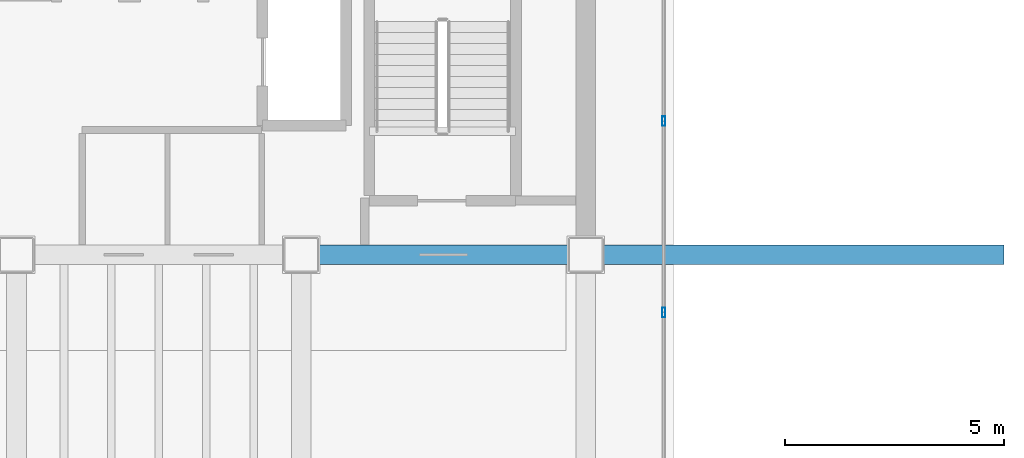
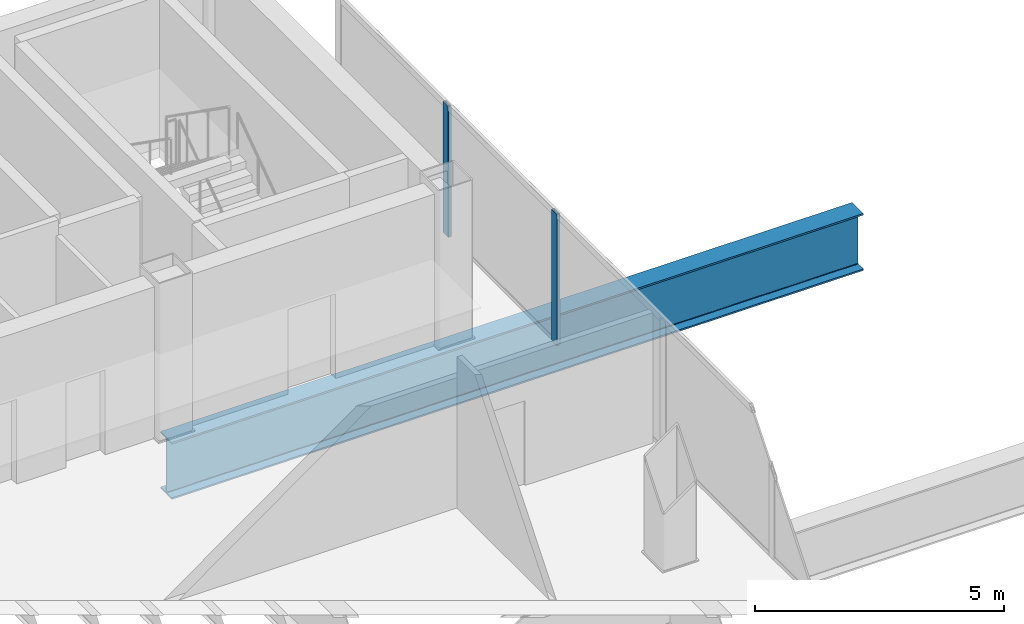
# One storey, part 17 of 22: 2 members, 1 beam, 1 element without a shape of its own.
"""IFC4 building model written with IfcOpenShell, lengths in metres."""

from ifc_helpers import new_model, si_unit, direction, frame, origin, origin_2d, place, context, subcontext, project, spatial, hollow_rectangle, i_section, extrude, material, material_profile, profile_set, type_object, element, aggregate, save


model = new_model("IFC4")

# Units and contexts
model_context = context("Model", 3, precision=1e-05, world=origin(), true_north=direction((0.0, 1.0)))
body_context = subcontext(model_context, "Body", "Model", "MODEL_VIEW")
ifc_project = project(units=[si_unit("LENGTHUNIT", "METRE"), si_unit("AREAUNIT", "SQUARE_METRE"), si_unit("VOLUMEUNIT", "CUBIC_METRE"), si_unit("PLANEANGLEUNIT", "RADIAN"), si_unit("MASSUNIT", "GRAM", prefix="KILO")], contexts=[model_context])

# Site, building, storey
site_placement = place(None, origin())
site = spatial("IfcSite", under=ifc_project, at=site_placement, CompositionType="ELEMENT")
building_placement = place(site_placement, origin())
building = spatial("IfcBuilding", under=site, at=building_placement, Name="Noeulbin Bourse Tower", CompositionType="ELEMENT")
storey_placement = place(building_placement, frame((0.0, 0.0, 230.60009765625)))
storey = spatial("IfcBuildingStorey", under=building, at=storey_placement, Name="L57", CompositionType="ELEMENT", Elevation=230.60009765625)

# Beam
ifc_material_1 = material(Name="Steel S460", Category="steel")
ifc_material_profile_1 = material_profile(ifc_material_1, i_section(OverallWidth=0.449951171875, OverallDepth=1.39990234375, WebThickness=0.02392578125, FlangeThickness=0.0400390625, FilletRadius=0.02392578125, at=origin_2d()), Name="PG-1400x450x24x40", Category="LoadBearing")
ifc_profile_set_1 = profile_set([ifc_material_profile_1], Name="Steel S460")
beam_type = type_object("IfcBeamType", Name="BM-TRF-1400", PredefinedType="USERDEFINED", material=ifc_profile_set_1)
beam_placement = place(storey_placement, frame((37.5, 29.0, -0.940185546875), z_axis=(1.0, 0.0, 0.0), x_axis=(0.0, 1.0, 0.0)))
element("IfcBeam", 1, at=beam_placement, inside=storey, type_object=beam_type, Name="Tower Primary Girder EW L57-2.7", ObjectType="GIRDER", PredefinedType="USERDEFINED", context=body_context, shape_type="SweptSolid", body=[
    extrude(i_section(OverallWidth=0.449951171875, OverallDepth=1.39990234375, WebThickness=0.02392578125, FlangeThickness=0.0400390625, FilletRadius=0.02392578125, at=origin_2d()), origin(), (0.0, 0.0, 1.0), 16.050048828125),
])

# Curtain wall, members
ifc_material_2 = material(Name="High-Selectivity Low-Iron Glazing", Category="glass")
curtain_wall_type = type_object("IfcCurtainWallType", Name="CW-SYS-4", PredefinedType="NOTDEFINED", material=ifc_material_2)
curtain_wall_placement = place(storey_placement, origin())
curtain_wall = element("IfcCurtainWall", 2, at=curtain_wall_placement, inside=storey, type_object=curtain_wall_type, Name="Unitised Curtain Wall CW-L57-E", PredefinedType="NOTDEFINED")
ifc_material_3 = material(Name="Anodised Aluminium 6063-T6", Category="aluminium")
ifc_material_profile_2 = material_profile(ifc_material_3, hollow_rectangle(XDim=0.074951171875, YDim=0.219970703125, WallThickness=0.0048828125, InnerFilletRadius=0.00244140625, OuterFilletRadius=0.0048828125, at=origin_2d()), Name="ALU-MULL-75x220x5", Category="LoadBearing")
ifc_profile_set_2 = profile_set([ifc_material_profile_2], Name="Anodised Aluminium 6063-T6")
member_type = type_object("IfcMemberType", Name="CW-SYS-4-MUL", PredefinedType="MULLION", material=ifc_profile_set_2)
member_1_placement = place(storey_placement, frame((45.780029296875, 27.68408203125, -0.02001953125), z_axis=(0.0, 0.0, 1.0), x_axis=(1.0, 0.0, 0.0)))
member_1 = element("IfcMember", 3, at=member_1_placement, type_object=member_type, Name="Curtain Wall Mullion CW-L57-E-M03", PredefinedType="MULLION", context=body_context, shape_type="SweptSolid", body=[
    extrude(hollow_rectangle(XDim=0.074951171875, YDim=0.219970703125, WallThickness=0.0048828125, InnerFilletRadius=0.00244140625, OuterFilletRadius=0.0048828125, at=origin_2d()), origin(), (0.0, 0.0, 1.0), 3.219970703125),
])
member_2_placement = place(storey_placement, frame((45.780029296875, 32.052001953125, -0.02001953125), z_axis=(0.0, 0.0, 1.0), x_axis=(1.0, 0.0, 0.0)))
member_2 = element("IfcMember", 4, at=member_2_placement, type_object=member_type, Name="Curtain Wall Mullion CW-L57-E-M04", PredefinedType="MULLION", context=body_context, shape_type="SweptSolid", body=[
    extrude(hollow_rectangle(XDim=0.074951171875, YDim=0.219970703125, WallThickness=0.0048828125, InnerFilletRadius=0.00244140625, OuterFilletRadius=0.0048828125, at=origin_2d()), origin(), (0.0, 0.0, 1.0), 3.219970703125),
])
aggregate(curtain_wall, [member_1, member_2])

save(model, "model.ifc")
